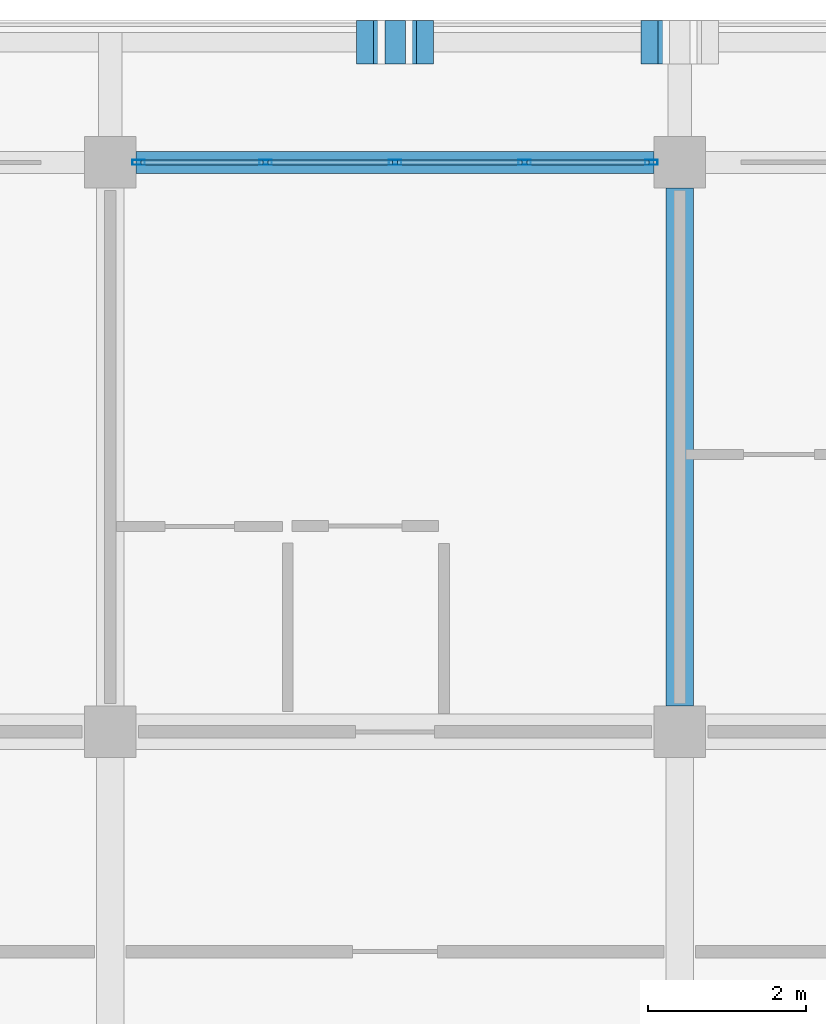
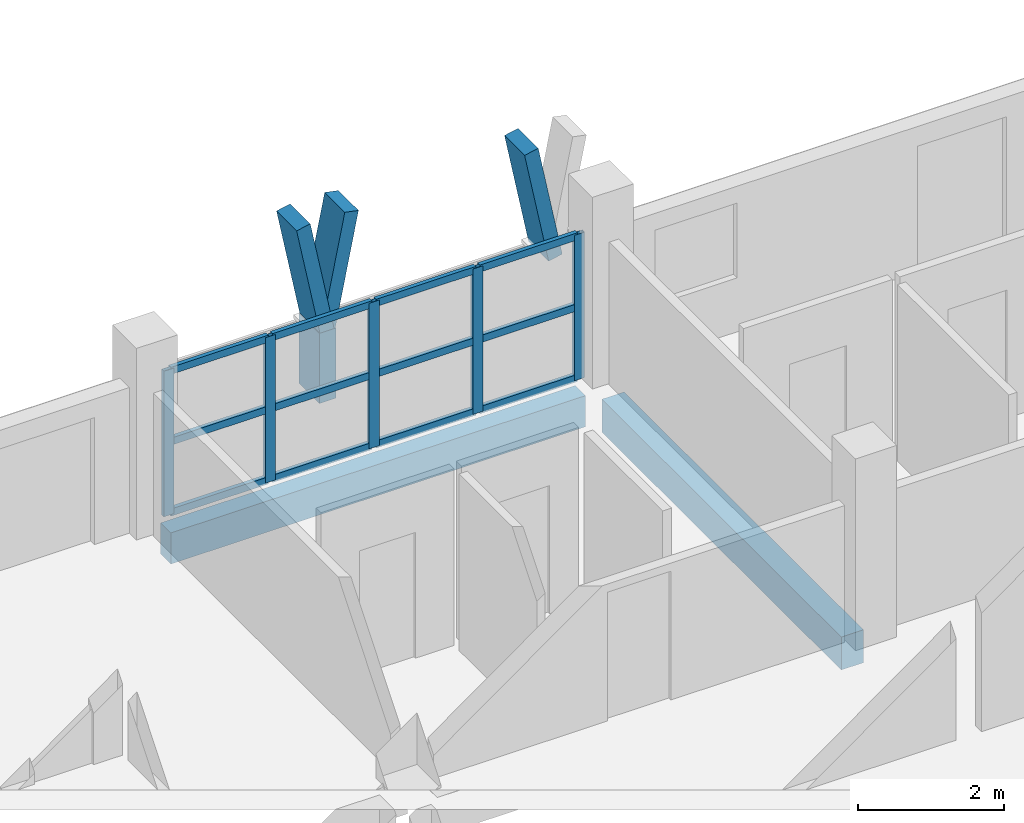
# One storey, part 22 of 78: 21 members, 2 beams, 1 element without a shape of its own.
"""IFC4 building model written with IfcOpenShell, lengths in metres."""

from ifc_helpers import new_model, si_unit, direction, frame, origin, origin_2d, place, context, subcontext, project, spatial, rectangle, hollow_rectangle, extrude, material, material_profile, profile_set, type_object, element, aggregate, save


model = new_model("IFC4")

# Units and contexts
model_context = context("Model", 3, precision=1e-05, world=origin(), true_north=direction((0.0, 1.0)))
body_context = subcontext(model_context, "Body", "Model", "MODEL_VIEW")
ifc_project = project(units=[si_unit("LENGTHUNIT", "METRE"), si_unit("AREAUNIT", "SQUARE_METRE"), si_unit("VOLUMEUNIT", "CUBIC_METRE"), si_unit("PLANEANGLEUNIT", "RADIAN"), si_unit("MASSUNIT", "GRAM", prefix="KILO")], contexts=[model_context])

# Site, building, storey
site_placement = place(None, origin())
site = spatial("IfcSite", under=ifc_project, at=site_placement, CompositionType="ELEMENT")
building_placement = place(site_placement, origin())
building = spatial("IfcBuilding", under=site, at=building_placement, Name="Suanplinth Sawtooth Commons", CompositionType="ELEMENT")
storey_placement = place(building_placement, frame((0.0, 0.0, 15.39990234375)))
storey = spatial("IfcBuildingStorey", under=building, at=storey_placement, Name="L04", CompositionType="ELEMENT", Elevation=15.39990234375)

# Beams
ifc_material_1 = material(Name="Precast concrete C40/50", Category="concrete")
ifc_material_profile_1 = material_profile(ifc_material_1, rectangle(XDim=0.35009765625, YDim=0.550048828125, at=origin_2d()), Name="PC-BM 350x550")
ifc_profile_set_1 = profile_set([ifc_material_profile_1], Name="Precast concrete C40/50")
beam_type_1 = type_object("IfcBeamType", Name="B-06", PredefinedType="BEAM", material=ifc_profile_set_1)
beam_1_placement = place(storey_placement, frame((86.39990234375, 115.52490234375, -0.494873046875), z_axis=(0.0, 1.0, 0.0), x_axis=(-1.0, 0.0, 0.0)))
element("IfcBeam", 1, at=beam_1_placement, inside=storey, type_object=beam_type_1, Name="BMY-L04-A-12-16", PredefinedType="BEAM", context=body_context, shape_type="SweptSolid", body=[
    extrude(rectangle(XDim=0.35009765625, YDim=0.550048828125, at=origin_2d()), origin(), (0.0, 0.0, 1.0), 6.550048828125),
])
ifc_material_profile_2 = material_profile(ifc_material_1, rectangle(XDim=0.280029296875, YDim=0.52001953125, at=origin_2d()), Name="PC-SP 280x520")
ifc_profile_set_2 = profile_set([ifc_material_profile_2], Name="Precast concrete C40/50")
beam_type_2 = type_object("IfcBeamType", Name="B-08", PredefinedType="SPANDREL", material=ifc_profile_set_2)
beam_2_placement = place(storey_placement, frame((79.52490234375, 122.39990234375, -0.47998046875), z_axis=(1.0, 0.0, 0.0), x_axis=(0.0, 1.0, 0.0)))
element("IfcBeam", 2, at=beam_2_placement, inside=storey, type_object=beam_type_2, Name="BMX-L04-A-11-17", PredefinedType="SPANDREL", context=body_context, shape_type="SweptSolid", body=[
    extrude(rectangle(XDim=0.280029296875, YDim=0.52001953125, at=origin_2d()), origin(), (0.0, 0.0, 1.0), 6.550048828125),
])

# Members
ifc_material_2 = material(Name="Pigmented precast concrete C40/50", Category="concrete")
ifc_material_profile_3 = material_profile(ifc_material_2, rectangle(XDim=0.260009765625, YDim=0.550048828125, at=origin_2d()), Name="PC-FIN 260x550")
ifc_profile_set_3 = profile_set([ifc_material_profile_3], Name="Pigmented precast concrete C40/50")
member_type_1 = type_object("IfcMemberType", Name="M-09", PredefinedType="USERDEFINED", material=ifc_profile_set_3)
member_1_placement = place(storey_placement, frame((82.800048828125, 123.919921875, 0.0), z_axis=(0.0, 0.0, 1.0), x_axis=(1.0, 0.0, 0.0)))
element("IfcMember", 3, at=member_1_placement, inside=storey, type_object=member_type_1, Name="Y-Blade Stem L04-A-N-07", ObjectType="SHADING FIN", PredefinedType="USERDEFINED", context=body_context, shape_type="SweptSolid", body=[
    extrude(rectangle(XDim=0.260009765625, YDim=0.550048828125, at=origin_2d()), origin(), (0.0, 0.0, 1.0), 1.170166015625),
])
ifc_material_profile_4 = material_profile(ifc_material_2, rectangle(XDim=0.219970703125, YDim=0.550048828125, at=origin_2d()), Name="PC-FIN 220x550")
ifc_profile_set_4 = profile_set([ifc_material_profile_4], Name="Pigmented precast concrete C40/50")
member_type_2 = type_object("IfcMemberType", Name="M-10", PredefinedType="USERDEFINED", material=ifc_profile_set_4)
member_2_placement = place(storey_placement, frame((82.800048828125, 123.919921875, 1.130126953125), z_axis=(-0.196431120402, 0.0, 0.980517626021), x_axis=(0.980517626021, 0.0, 0.196431120402)))
element("IfcMember", 4, at=member_2_placement, inside=storey, type_object=member_type_2, Name="Y-Blade Arm L L04-A-N-07", ObjectType="SHADING FIN", PredefinedType="USERDEFINED", context=body_context, shape_type="SweptSolid", body=[
    extrude(rectangle(XDim=0.219970703125, YDim=0.550048828125, at=origin_2d()), origin(), (0.0, 0.0, 1.0), 1.937744140625),
])
for number, where, z_axis, x_axis, name in (
    (5, (82.800048828125, 123.919921875, 1.130126953125), (0.196309979414, 0.0, 0.980541886909), (-0.980541886909, 0.0, 0.196309979414), "Y-Blade Arm R L04-A-N-07"),
    (6, (86.39990234375, 123.919921875, 1.130126953125), (-0.196309979414, 0.0, 0.980541886909), (0.980541886909, 0.0, 0.196309979414), "Y-Blade Arm L L04-A-N-08"),
):
    element("IfcMember", number, at=place(storey_placement, frame(where, z_axis=z_axis, x_axis=x_axis)), inside=storey, type_object=member_type_2, Name=name, ObjectType="SHADING FIN", PredefinedType="USERDEFINED", context=body_context, shape_type="SweptSolid", body=[
        extrude(rectangle(XDim=0.219970703125, YDim=0.550048828125, at=origin_2d()), origin(), (0.0, 0.0, 1.0), 1.9375),
    ])

# Curtain wall, members
ifc_material_3 = material(Name="Anodized aluminium and low-E glazing", Category="aluminium")
curtain_wall_type = type_object("IfcCurtainWallType", Name="CW-06", PredefinedType="USERDEFINED", material=ifc_material_3)
curtain_wall_placement = place(storey_placement, origin())
curtain_wall = element("IfcCurtainWall", 7, at=curtain_wall_placement, inside=storey, type_object=curtain_wall_type, Name="Curtain Wall CW-L04-A-LOUNGE-11", ObjectType="CURTAIN WALL", PredefinedType="USERDEFINED")
ifc_material_4 = material(Name="Anodized aluminium 6063-T6", Category="aluminium")
ifc_material_profile_5 = material_profile(ifc_material_4, hollow_rectangle(XDim=0.06494140625, YDim=0.159912109375, WallThickness=0.00390625, at=origin_2d()), Name="ALU-MUL 65x160")
ifc_profile_set_5 = profile_set([ifc_material_profile_5], Name="Anodized aluminium 6063-T6")
member_type_3 = type_object("IfcMemberType", Name="M-13", PredefinedType="MULLION", material=ifc_profile_set_5)
member_3_placement = place(storey_placement, frame((79.5576171875, 122.39990234375, 0.0), z_axis=(0.0, 0.0, 1.0), x_axis=(0.0, 1.0, 0.0)))
member_3 = element("IfcMember", 8, at=member_3_placement, type_object=member_type_3, Name="CW-06 mullion 1", PredefinedType="MULLION", context=body_context, shape_type="SweptSolid", body=[
    extrude(hollow_rectangle(XDim=0.06494140625, YDim=0.159912109375, WallThickness=0.00390625, at=origin_2d()), origin(), (0.0, 0.0, 1.0), 2.43017578125),
])
member_4_placement = place(storey_placement, frame((81.16259765625, 122.39990234375, 0.0), z_axis=(0.0, 0.0, 1.0), x_axis=(0.0, 1.0, 0.0)))
member_4 = element("IfcMember", 9, at=member_4_placement, type_object=member_type_3, Name="CW-06 mullion 2", PredefinedType="MULLION", context=body_context, shape_type="SweptSolid", body=[
    extrude(hollow_rectangle(XDim=0.06494140625, YDim=0.159912109375, WallThickness=0.00390625, at=origin_2d()), origin(), (0.0, 0.0, 1.0), 2.43017578125),
])
member_5_placement = place(storey_placement, frame((82.800048828125, 122.39990234375, 0.0), z_axis=(0.0, 0.0, 1.0), x_axis=(0.0, 1.0, 0.0)))
member_5 = element("IfcMember", 10, at=member_5_placement, type_object=member_type_3, Name="CW-06 mullion 3", PredefinedType="MULLION", context=body_context, shape_type="SweptSolid", body=[
    extrude(hollow_rectangle(XDim=0.06494140625, YDim=0.159912109375, WallThickness=0.00390625, at=origin_2d()), origin(), (0.0, 0.0, 1.0), 2.43017578125),
])
member_6_placement = place(storey_placement, frame((84.4375, 122.39990234375, 0.0), z_axis=(0.0, 0.0, 1.0), x_axis=(0.0, 1.0, 0.0)))
member_6 = element("IfcMember", 11, at=member_6_placement, type_object=member_type_3, Name="CW-06 mullion 4", PredefinedType="MULLION", context=body_context, shape_type="SweptSolid", body=[
    extrude(hollow_rectangle(XDim=0.06494140625, YDim=0.159912109375, WallThickness=0.00390625, at=origin_2d()), origin(), (0.0, 0.0, 1.0), 2.43017578125),
])
member_7_placement = place(storey_placement, frame((86.04248046875, 122.39990234375, 0.0), z_axis=(0.0, 0.0, 1.0), x_axis=(0.0, 1.0, 0.0)))
member_7 = element("IfcMember", 12, at=member_7_placement, type_object=member_type_3, Name="CW-06 mullion 5", PredefinedType="MULLION", context=body_context, shape_type="SweptSolid", body=[
    extrude(hollow_rectangle(XDim=0.06494140625, YDim=0.159912109375, WallThickness=0.00390625, at=origin_2d()), origin(), (0.0, 0.0, 1.0), 2.43017578125),
])
ifc_material_profile_6 = material_profile(ifc_material_4, hollow_rectangle(XDim=0.06494140625, YDim=0.1201171875, WallThickness=0.00390625, at=origin_2d()), Name="ALU-TRN 65x120")
ifc_profile_set_6 = profile_set([ifc_material_profile_6], Name="Anodized aluminium 6063-T6")
member_type_4 = type_object("IfcMemberType", Name="M-15", PredefinedType="USERDEFINED", material=ifc_profile_set_6)
member_8_placement = place(storey_placement, frame((79.590087890625, 122.39990234375, 0.03271484375), z_axis=(1.0, 0.0, 0.0), x_axis=(0.0, 1.0, 0.0)))
member_8 = element("IfcMember", 13, at=member_8_placement, type_object=member_type_4, Name="CW-06 transom 1.1", ObjectType="TRANSOM", PredefinedType="USERDEFINED", context=body_context, shape_type="SweptSolid", body=[
    extrude(hollow_rectangle(XDim=0.06494140625, YDim=0.1201171875, WallThickness=0.00390625, at=origin_2d()), origin(), (0.0, 0.0, 1.0), 1.539794921875),
])
member_9_placement = place(storey_placement, frame((79.590087890625, 122.39990234375, 1.215087890625), z_axis=(1.0, 0.0, 0.0), x_axis=(0.0, 1.0, 0.0)))
member_9 = element("IfcMember", 14, at=member_9_placement, type_object=member_type_4, Name="CW-06 transom 1.2", ObjectType="TRANSOM", PredefinedType="USERDEFINED", context=body_context, shape_type="SweptSolid", body=[
    extrude(hollow_rectangle(XDim=0.06494140625, YDim=0.1201171875, WallThickness=0.00390625, at=origin_2d()), origin(), (0.0, 0.0, 1.0), 1.539794921875),
])
member_10_placement = place(storey_placement, frame((79.590087890625, 122.39990234375, 2.397705078125), z_axis=(1.0, 0.0, 0.0), x_axis=(0.0, 1.0, 0.0)))
member_10 = element("IfcMember", 15, at=member_10_placement, type_object=member_type_4, Name="CW-06 transom 1.3", ObjectType="TRANSOM", PredefinedType="USERDEFINED", context=body_context, shape_type="SweptSolid", body=[
    extrude(hollow_rectangle(XDim=0.06494140625, YDim=0.1201171875, WallThickness=0.00390625, at=origin_2d()), origin(), (0.0, 0.0, 1.0), 1.539794921875),
])
member_11_placement = place(storey_placement, frame((81.195068359375, 122.39990234375, 0.03271484375), z_axis=(1.0, 0.0, 0.0), x_axis=(0.0, 1.0, 0.0)))
member_11 = element("IfcMember", 16, at=member_11_placement, type_object=member_type_4, Name="CW-06 transom 2.1", ObjectType="TRANSOM", PredefinedType="USERDEFINED", context=body_context, shape_type="SweptSolid", body=[
    extrude(hollow_rectangle(XDim=0.06494140625, YDim=0.1201171875, WallThickness=0.00390625, at=origin_2d()), origin(), (0.0, 0.0, 1.0), 1.572509765625),
])
member_12_placement = place(storey_placement, frame((81.195068359375, 122.39990234375, 1.215087890625), z_axis=(1.0, 0.0, 0.0), x_axis=(0.0, 1.0, 0.0)))
member_12 = element("IfcMember", 17, at=member_12_placement, type_object=member_type_4, Name="CW-06 transom 2.2", ObjectType="TRANSOM", PredefinedType="USERDEFINED", context=body_context, shape_type="SweptSolid", body=[
    extrude(hollow_rectangle(XDim=0.06494140625, YDim=0.1201171875, WallThickness=0.00390625, at=origin_2d()), origin(), (0.0, 0.0, 1.0), 1.572509765625),
])
member_13_placement = place(storey_placement, frame((81.195068359375, 122.39990234375, 2.397705078125), z_axis=(1.0, 0.0, 0.0), x_axis=(0.0, 1.0, 0.0)))
member_13 = element("IfcMember", 18, at=member_13_placement, type_object=member_type_4, Name="CW-06 transom 2.3", ObjectType="TRANSOM", PredefinedType="USERDEFINED", context=body_context, shape_type="SweptSolid", body=[
    extrude(hollow_rectangle(XDim=0.06494140625, YDim=0.1201171875, WallThickness=0.00390625, at=origin_2d()), origin(), (0.0, 0.0, 1.0), 1.572509765625),
])
member_14_placement = place(storey_placement, frame((82.83251953125, 122.39990234375, 0.03271484375), z_axis=(1.0, 0.0, 0.0), x_axis=(0.0, 1.0, 0.0)))
member_14 = element("IfcMember", 19, at=member_14_placement, type_object=member_type_4, Name="CW-06 transom 3.1", ObjectType="TRANSOM", PredefinedType="USERDEFINED", context=body_context, shape_type="SweptSolid", body=[
    extrude(hollow_rectangle(XDim=0.06494140625, YDim=0.1201171875, WallThickness=0.00390625, at=origin_2d()), origin(), (0.0, 0.0, 1.0), 1.572509765625),
])
member_15_placement = place(storey_placement, frame((82.83251953125, 122.39990234375, 1.215087890625), z_axis=(1.0, 0.0, 0.0), x_axis=(0.0, 1.0, 0.0)))
member_15 = element("IfcMember", 20, at=member_15_placement, type_object=member_type_4, Name="CW-06 transom 3.2", ObjectType="TRANSOM", PredefinedType="USERDEFINED", context=body_context, shape_type="SweptSolid", body=[
    extrude(hollow_rectangle(XDim=0.06494140625, YDim=0.1201171875, WallThickness=0.00390625, at=origin_2d()), origin(), (0.0, 0.0, 1.0), 1.572509765625),
])
member_16_placement = place(storey_placement, frame((82.83251953125, 122.39990234375, 2.397705078125), z_axis=(1.0, 0.0, 0.0), x_axis=(0.0, 1.0, 0.0)))
member_16 = element("IfcMember", 21, at=member_16_placement, type_object=member_type_4, Name="CW-06 transom 3.3", ObjectType="TRANSOM", PredefinedType="USERDEFINED", context=body_context, shape_type="SweptSolid", body=[
    extrude(hollow_rectangle(XDim=0.06494140625, YDim=0.1201171875, WallThickness=0.00390625, at=origin_2d()), origin(), (0.0, 0.0, 1.0), 1.572509765625),
])
member_17_placement = place(storey_placement, frame((84.469970703125, 122.39990234375, 0.03271484375), z_axis=(1.0, 0.0, 0.0), x_axis=(0.0, 1.0, 0.0)))
member_17 = element("IfcMember", 22, at=member_17_placement, type_object=member_type_4, Name="CW-06 transom 4.1", ObjectType="TRANSOM", PredefinedType="USERDEFINED", context=body_context, shape_type="SweptSolid", body=[
    extrude(hollow_rectangle(XDim=0.06494140625, YDim=0.1201171875, WallThickness=0.00390625, at=origin_2d()), origin(), (0.0, 0.0, 1.0), 1.5400390625),
])
member_18_placement = place(storey_placement, frame((84.469970703125, 122.39990234375, 1.215087890625), z_axis=(1.0, 0.0, 0.0), x_axis=(0.0, 1.0, 0.0)))
member_18 = element("IfcMember", 23, at=member_18_placement, type_object=member_type_4, Name="CW-06 transom 4.2", ObjectType="TRANSOM", PredefinedType="USERDEFINED", context=body_context, shape_type="SweptSolid", body=[
    extrude(hollow_rectangle(XDim=0.06494140625, YDim=0.1201171875, WallThickness=0.00390625, at=origin_2d()), origin(), (0.0, 0.0, 1.0), 1.5400390625),
])
member_19_placement = place(storey_placement, frame((84.469970703125, 122.39990234375, 2.397705078125), z_axis=(1.0, 0.0, 0.0), x_axis=(0.0, 1.0, 0.0)))
member_19 = element("IfcMember", 24, at=member_19_placement, type_object=member_type_4, Name="CW-06 transom 4.3", ObjectType="TRANSOM", PredefinedType="USERDEFINED", context=body_context, shape_type="SweptSolid", body=[
    extrude(hollow_rectangle(XDim=0.06494140625, YDim=0.1201171875, WallThickness=0.00390625, at=origin_2d()), origin(), (0.0, 0.0, 1.0), 1.5400390625),
])
aggregate(curtain_wall, [member_3, member_4, member_5, member_6, member_7, member_8, member_9, member_10, member_11, member_12, member_13, member_14, member_15, member_16, member_17, member_18, member_19])

save(model, "model.ifc")
